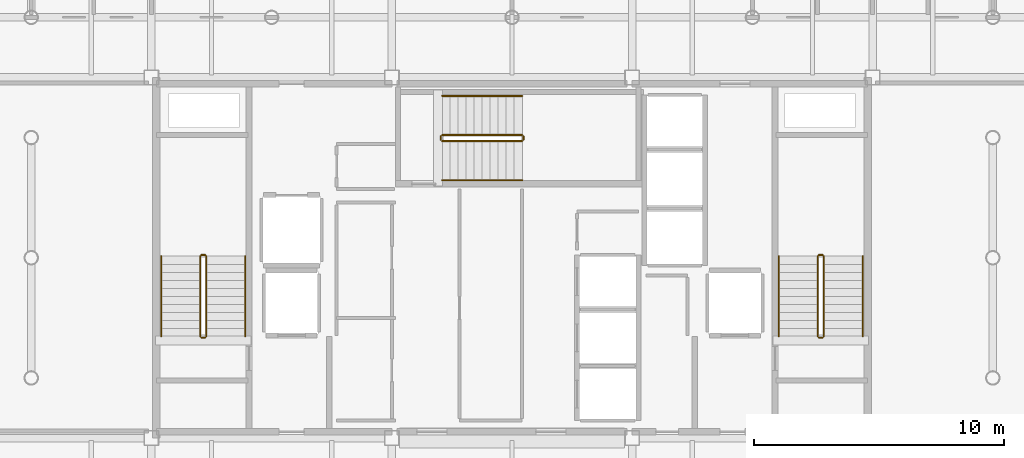
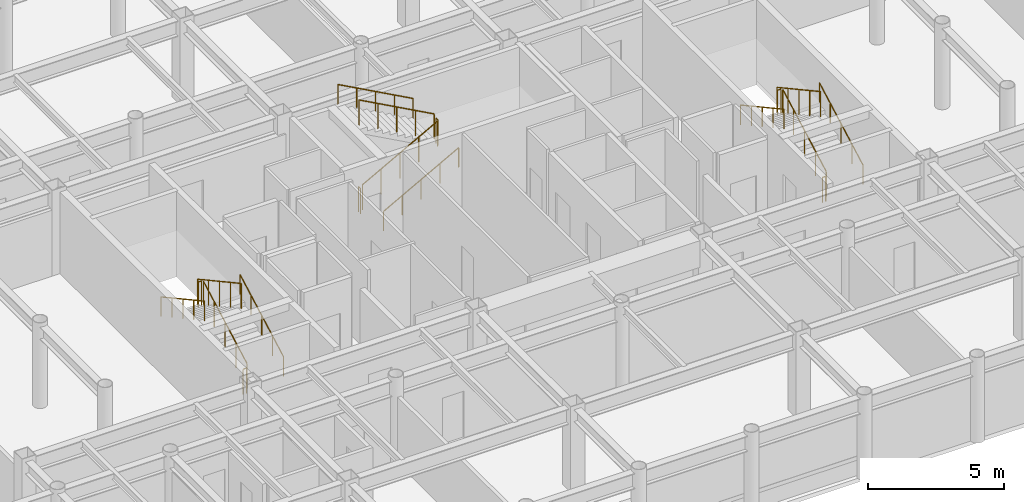
# One storey, part 22 of 22: 18 railings.
"""IFC4 building model written with IfcOpenShell, lengths in metres."""

from ifc_helpers import new_model, si_unit, direction, frame, origin, origin_2d, place, context, subcontext, project, spatial, circle, extrude, material, layer, layer_set, type_object, element, save


model = new_model("IFC4")

# Units and contexts
model_context = context("Model", 3, precision=1e-05, world=origin(), true_north=direction((0.0, 1.0)))
body_context = subcontext(model_context, "Body", "Model", "MODEL_VIEW")
ifc_project = project(units=[si_unit("LENGTHUNIT", "METRE"), si_unit("AREAUNIT", "SQUARE_METRE"), si_unit("VOLUMEUNIT", "CUBIC_METRE"), si_unit("PLANEANGLEUNIT", "RADIAN"), si_unit("MASSUNIT", "GRAM", prefix="KILO")], contexts=[model_context])

# Site, building, storey
site_placement = place(None, origin())
site = spatial("IfcSite", under=ifc_project, at=site_placement, CompositionType="ELEMENT")
building_placement = place(site_placement, origin())
building = spatial("IfcBuilding", under=site, at=building_placement, Name="Kallvorn Hotel Tower", CompositionType="ELEMENT")
storey_placement = place(building_placement, frame((0.0, 0.0, 260.800048828125)))
storey = spatial("IfcBuildingStorey", under=building, at=storey_placement, Name="L65", CompositionType="ELEMENT", Elevation=260.800048828125)

# Railings
ifc_material_1 = material(Name="Brushed stainless-steel tubular railing", Category="steel")
ifc_layer_1 = layer(ifc_material_1, 0.050048828125)
ifc_layer_set_1 = layer_set([ifc_layer_1], Name="RL_STAIR_GUARD")
railing_type_1 = type_object("IfcRailingType", Name="RL_STAIR_GUARD", PredefinedType="GUARDRAIL", material=ifc_layer_set_1)
railing_1_placement = place(storey_placement, frame((-12.2099609375, -3.139892578125, 0.175048828125)))
element("IfcRailing", 1, at=railing_1_placement, inside=storey, type_object=railing_type_1, Name="L65 ST1 stair guard 1", PredefinedType="GUARDRAIL", context=body_context, shape_type="SweptSolid", body=[
    extrude(circle(Radius=0.02392578125, at=origin_2d()), frame((0.0, 0.0, 1.1259765625), z_axis=(0.0, 0.877368057402, 0.479817977833), x_axis=(-1.0, 0.0, 0.0)), (0.0, 0.0, 1.0), 3.647216796875),
    extrude(circle(Radius=0.02099609375, at=origin_2d()), origin(), (0.0, 0.0, 1.0), 1.101806640625),
    extrude(circle(Radius=0.02099609375, at=origin_2d()), frame((0.0, 0.800048828125, 0.4375)), (0.0, 0.0, 1.0), 1.101806640625),
    extrude(circle(Radius=0.02099609375, at=origin_2d()), frame((0.0, 1.60009765625, 0.875)), (0.0, 0.0, 1.0), 1.101806640625),
    extrude(circle(Radius=0.02099609375, at=origin_2d()), frame((0.0, 2.39990234375, 1.3125)), (0.0, 0.0, 1.0), 1.101806640625),
    extrude(circle(Radius=0.02099609375, at=origin_2d()), frame((0.0, 3.199951171875, 1.75)), (0.0, 0.0, 1.0), 1.101806640625),
])
railing_2_placement = place(storey_placement, frame((-12.260009765625, 0.110107421875, 1.925048828125)))
element("IfcRailing", 2, at=railing_2_placement, inside=storey, type_object=railing_type_1, Name="L65 ST1 stair guard 2", PredefinedType="GUARDRAIL", context=body_context, shape_type="SweptSolid", body=[
    extrude(circle(Radius=0.02392578125, at=origin_2d()), frame((0.0, 0.0, 1.1259765625), z_axis=(-1.0, 0.0, 0.0), x_axis=(0.0, -1.0, 0.0)), (0.0, 0.0, 1.0), 0.139892578125),
    extrude(circle(Radius=0.02099609375, at=origin_2d()), origin(), (0.0, 0.0, 1.0), 1.101806640625),
    extrude(circle(Radius=0.02099609375, at=origin_2d()), frame((-0.139892578125, 0.0, 0.0)), (0.0, 0.0, 1.0), 1.101806640625),
])
railing_3_placement = place(storey_placement, frame((-12.449951171875, 0.06005859375, 2.099853515625)))
element("IfcRailing", 3, at=railing_3_placement, inside=storey, type_object=railing_type_1, Name="L65 ST1 stair guard 3", PredefinedType="GUARDRAIL", context=body_context, shape_type="SweptSolid", body=[
    extrude(circle(Radius=0.02392578125, at=origin_2d()), frame((0.0, 0.0, 1.1259765625), z_axis=(0.0, -0.877368057402, 0.479817977833), x_axis=(1.0, 0.0, 0.0)), (0.0, 0.0, 1.0), 3.647216796875),
    extrude(circle(Radius=0.02099609375, at=origin_2d()), origin(), (0.0, 0.0, 1.0), 1.101806640625),
    extrude(circle(Radius=0.02099609375, at=origin_2d()), frame((0.0, -0.800048828125, 0.4375)), (0.0, 0.0, 1.0), 1.101806640625),
    extrude(circle(Radius=0.02099609375, at=origin_2d()), frame((0.0, -1.60009765625, 0.875)), (0.0, 0.0, 1.0), 1.101806640625),
    extrude(circle(Radius=0.02099609375, at=origin_2d()), frame((0.0, -2.39990234375, 1.3125)), (0.0, 0.0, 1.0), 1.101806640625),
    extrude(circle(Radius=0.02099609375, at=origin_2d()), frame((0.0, -3.199951171875, 1.75)), (0.0, 0.0, 1.0), 1.101806640625),
])
railing_4_placement = place(storey_placement, frame((-12.260009765625, -3.18994140625, 0.0)))
element("IfcRailing", 4, at=railing_4_placement, inside=storey, type_object=railing_type_1, Name="L65 ST1 stair guard 4", PredefinedType="GUARDRAIL", context=body_context, shape_type="SweptSolid", body=[
    extrude(circle(Radius=0.02392578125, at=origin_2d()), frame((0.0, 0.0, 1.1259765625), z_axis=(-1.0, 0.0, 0.0), x_axis=(0.0, -1.0, 0.0)), (0.0, 0.0, 1.0), 0.139892578125),
    extrude(circle(Radius=0.02099609375, at=origin_2d()), origin(), (0.0, 0.0, 1.0), 1.101806640625),
    extrude(circle(Radius=0.02099609375, at=origin_2d()), frame((-0.139892578125, 0.0, 0.0)), (0.0, 0.0, 1.0), 1.101806640625),
])
railing_5_placement = place(storey_placement, frame((12.449951171875, -3.139892578125, 0.175048828125)))
element("IfcRailing", 5, at=railing_5_placement, inside=storey, type_object=railing_type_1, Name="L65 ST2 stair guard 1", PredefinedType="GUARDRAIL", context=body_context, shape_type="SweptSolid", body=[
    extrude(circle(Radius=0.02392578125, at=origin_2d()), frame((0.0, 0.0, 1.1259765625), z_axis=(0.0, 0.877368057402, 0.479817977833), x_axis=(-1.0, 0.0, 0.0)), (0.0, 0.0, 1.0), 3.647216796875),
    extrude(circle(Radius=0.02099609375, at=origin_2d()), origin(), (0.0, 0.0, 1.0), 1.101806640625),
    extrude(circle(Radius=0.02099609375, at=origin_2d()), frame((0.0, 0.800048828125, 0.4375)), (0.0, 0.0, 1.0), 1.101806640625),
    extrude(circle(Radius=0.02099609375, at=origin_2d()), frame((0.0, 1.60009765625, 0.875)), (0.0, 0.0, 1.0), 1.101806640625),
    extrude(circle(Radius=0.02099609375, at=origin_2d()), frame((0.0, 2.39990234375, 1.3125)), (0.0, 0.0, 1.0), 1.101806640625),
    extrude(circle(Radius=0.02099609375, at=origin_2d()), frame((0.0, 3.199951171875, 1.75)), (0.0, 0.0, 1.0), 1.101806640625),
])
railing_6_placement = place(storey_placement, frame((12.39990234375, 0.110107421875, 1.925048828125)))
element("IfcRailing", 6, at=railing_6_placement, inside=storey, type_object=railing_type_1, Name="L65 ST2 stair guard 2", PredefinedType="GUARDRAIL", context=body_context, shape_type="SweptSolid", body=[
    extrude(circle(Radius=0.02392578125, at=origin_2d()), frame((0.0, 0.0, 1.1259765625), z_axis=(-1.0, 0.0, 0.0), x_axis=(0.0, -1.0, 0.0)), (0.0, 0.0, 1.0), 0.139892578125),
    extrude(circle(Radius=0.02099609375, at=origin_2d()), origin(), (0.0, 0.0, 1.0), 1.101806640625),
    extrude(circle(Radius=0.02099609375, at=origin_2d()), frame((-0.139892578125, 0.0, 0.0)), (0.0, 0.0, 1.0), 1.101806640625),
])
railing_7_placement = place(storey_placement, frame((12.2099609375, 0.06005859375, 2.099853515625)))
element("IfcRailing", 7, at=railing_7_placement, inside=storey, type_object=railing_type_1, Name="L65 ST2 stair guard 3", PredefinedType="GUARDRAIL", context=body_context, shape_type="SweptSolid", body=[
    extrude(circle(Radius=0.02392578125, at=origin_2d()), frame((0.0, 0.0, 1.1259765625), z_axis=(0.0, -0.877368057402, 0.479817977833), x_axis=(1.0, 0.0, 0.0)), (0.0, 0.0, 1.0), 3.647216796875),
    extrude(circle(Radius=0.02099609375, at=origin_2d()), origin(), (0.0, 0.0, 1.0), 1.101806640625),
    extrude(circle(Radius=0.02099609375, at=origin_2d()), frame((0.0, -0.800048828125, 0.4375)), (0.0, 0.0, 1.0), 1.101806640625),
    extrude(circle(Radius=0.02099609375, at=origin_2d()), frame((0.0, -1.60009765625, 0.875)), (0.0, 0.0, 1.0), 1.101806640625),
    extrude(circle(Radius=0.02099609375, at=origin_2d()), frame((0.0, -2.39990234375, 1.3125)), (0.0, 0.0, 1.0), 1.101806640625),
    extrude(circle(Radius=0.02099609375, at=origin_2d()), frame((0.0, -3.199951171875, 1.75)), (0.0, 0.0, 1.0), 1.101806640625),
])
railing_8_placement = place(storey_placement, frame((12.39990234375, -3.18994140625, 0.0)))
element("IfcRailing", 8, at=railing_8_placement, inside=storey, type_object=railing_type_1, Name="L65 ST2 stair guard 4", PredefinedType="GUARDRAIL", context=body_context, shape_type="SweptSolid", body=[
    extrude(circle(Radius=0.02392578125, at=origin_2d()), frame((0.0, 0.0, 1.1259765625), z_axis=(-1.0, 0.0, 0.0), x_axis=(0.0, -1.0, 0.0)), (0.0, 0.0, 1.0), 0.139892578125),
    extrude(circle(Radius=0.02099609375, at=origin_2d()), origin(), (0.0, 0.0, 1.0), 1.101806640625),
    extrude(circle(Radius=0.02099609375, at=origin_2d()), frame((-0.139892578125, 0.0, 0.0)), (0.0, 0.0, 1.0), 1.101806640625),
])
railing_9_placement = place(storey_placement, frame((-2.7900390625, 4.659912109375, 0.175048828125)))
element("IfcRailing", 9, at=railing_9_placement, inside=storey, type_object=railing_type_1, Name="L65 ST3 stair guard 1", PredefinedType="GUARDRAIL", context=body_context, shape_type="SweptSolid", body=[
    extrude(circle(Radius=0.02392578125, at=origin_2d()), frame((0.0, 0.0, 1.1259765625), z_axis=(0.877368057402, 0.0, 0.479817977833), x_axis=(0.0, 1.0, 0.0)), (0.0, 0.0, 1.0), 3.647216796875),
    extrude(circle(Radius=0.02099609375, at=origin_2d()), origin(), (0.0, 0.0, 1.0), 1.101806640625),
    extrude(circle(Radius=0.02099609375, at=origin_2d()), frame((0.800048828125, 0.0, 0.4375)), (0.0, 0.0, 1.0), 1.101806640625),
    extrude(circle(Radius=0.02099609375, at=origin_2d()), frame((1.60009765625, 0.0, 0.875)), (0.0, 0.0, 1.0), 1.101806640625),
    extrude(circle(Radius=0.02099609375, at=origin_2d()), frame((2.39990234375, 0.0, 1.3125)), (0.0, 0.0, 1.0), 1.101806640625),
    extrude(circle(Radius=0.02099609375, at=origin_2d()), frame((3.199951171875, 0.0, 1.75)), (0.0, 0.0, 1.0), 1.101806640625),
])
railing_10_placement = place(storey_placement, frame((0.4599609375, 4.7099609375, 1.925048828125)))
element("IfcRailing", 10, at=railing_10_placement, inside=storey, type_object=railing_type_1, Name="L65 ST3 stair guard 2", PredefinedType="GUARDRAIL", context=body_context, shape_type="SweptSolid", body=[
    extrude(circle(Radius=0.02392578125, at=origin_2d()), frame((0.0, 0.0, 1.1259765625), z_axis=(0.0, 1.0, 0.0), x_axis=(-1.0, 0.0, 0.0)), (0.0, 0.0, 1.0), 0.14013671875),
    extrude(circle(Radius=0.02099609375, at=origin_2d()), origin(), (0.0, 0.0, 1.0), 1.101806640625),
    extrude(circle(Radius=0.02099609375, at=origin_2d()), frame((0.0, 0.14013671875, 0.0)), (0.0, 0.0, 1.0), 1.101806640625),
])
railing_11_placement = place(storey_placement, frame((0.409912109375, 4.89990234375, 2.099853515625)))
element("IfcRailing", 11, at=railing_11_placement, inside=storey, type_object=railing_type_1, Name="L65 ST3 stair guard 3", PredefinedType="GUARDRAIL", context=body_context, shape_type="SweptSolid", body=[
    extrude(circle(Radius=0.02392578125, at=origin_2d()), frame((0.0, 0.0, 1.1259765625), z_axis=(-0.877368057402, 0.0, 0.479817977833), x_axis=(0.0, -1.0, 0.0)), (0.0, 0.0, 1.0), 3.647216796875),
    extrude(circle(Radius=0.02099609375, at=origin_2d()), origin(), (0.0, 0.0, 1.0), 1.101806640625),
    extrude(circle(Radius=0.02099609375, at=origin_2d()), frame((-0.800048828125, 0.0, 0.4375)), (0.0, 0.0, 1.0), 1.101806640625),
    extrude(circle(Radius=0.02099609375, at=origin_2d()), frame((-1.60009765625, 0.0, 0.875)), (0.0, 0.0, 1.0), 1.101806640625),
    extrude(circle(Radius=0.02099609375, at=origin_2d()), frame((-2.39990234375, 0.0, 1.3125)), (0.0, 0.0, 1.0), 1.101806640625),
    extrude(circle(Radius=0.02099609375, at=origin_2d()), frame((-3.199951171875, 0.0, 1.75)), (0.0, 0.0, 1.0), 1.101806640625),
])
railing_12_placement = place(storey_placement, frame((-2.840087890625, 4.7099609375, 0.0)))
element("IfcRailing", 12, at=railing_12_placement, inside=storey, type_object=railing_type_1, Name="L65 ST3 stair guard 4", PredefinedType="GUARDRAIL", context=body_context, shape_type="SweptSolid", body=[
    extrude(circle(Radius=0.02392578125, at=origin_2d()), frame((0.0, 0.0, 1.1259765625), z_axis=(0.0, 1.0, 0.0), x_axis=(-1.0, 0.0, 0.0)), (0.0, 0.0, 1.0), 0.14013671875),
    extrude(circle(Radius=0.02099609375, at=origin_2d()), origin(), (0.0, 0.0, 1.0), 1.101806640625),
    extrude(circle(Radius=0.02099609375, at=origin_2d()), frame((0.0, 0.14013671875, 0.0)), (0.0, 0.0, 1.0), 1.101806640625),
])
ifc_material_2 = material(Name="Brushed stainless-steel tubular railing", Category="steel")
ifc_layer_2 = layer(ifc_material_2, 0.050048828125)
ifc_layer_set_2 = layer_set([ifc_layer_2], Name="RL_STAIR_HAND")
railing_type_2 = type_object("IfcRailingType", Name="RL_STAIR_HAND", PredefinedType="HANDRAIL", material=ifc_layer_set_2)
railing_13_placement = place(storey_placement, frame((-10.64990234375, -3.139892578125, 0.175048828125)))
element("IfcRailing", 13, at=railing_13_placement, inside=storey, type_object=railing_type_2, Name="L65 ST1 stair handrail 1", PredefinedType="HANDRAIL", context=body_context, shape_type="SweptSolid", body=[
    extrude(circle(Radius=0.02392578125, at=origin_2d()), frame((0.0, 0.0, 0.8759765625), z_axis=(0.0, 0.877368057402, 0.479817977833), x_axis=(-1.0, 0.0, 0.0)), (0.0, 0.0, 1.0), 3.647216796875),
    extrude(circle(Radius=0.02099609375, at=origin_2d()), origin(), (0.0, 0.0, 1.0), 0.851806640625),
    extrude(circle(Radius=0.02099609375, at=origin_2d()), frame((0.0, 0.800048828125, 0.4375)), (0.0, 0.0, 1.0), 0.851806640625),
    extrude(circle(Radius=0.02099609375, at=origin_2d()), frame((0.0, 1.60009765625, 0.875)), (0.0, 0.0, 1.0), 0.851806640625),
    extrude(circle(Radius=0.02099609375, at=origin_2d()), frame((0.0, 2.39990234375, 1.3125)), (0.0, 0.0, 1.0), 0.851806640625),
    extrude(circle(Radius=0.02099609375, at=origin_2d()), frame((0.0, 3.199951171875, 1.75)), (0.0, 0.0, 1.0), 0.851806640625),
])
railing_14_placement = place(storey_placement, frame((-14.010009765625, 0.06005859375, 2.099853515625)))
element("IfcRailing", 14, at=railing_14_placement, inside=storey, type_object=railing_type_2, Name="L65 ST1 stair handrail 2", PredefinedType="HANDRAIL", context=body_context, shape_type="SweptSolid", body=[
    extrude(circle(Radius=0.02392578125, at=origin_2d()), frame((0.0, 0.0, 0.8759765625), z_axis=(0.0, -0.877368057402, 0.479817977833), x_axis=(1.0, 0.0, 0.0)), (0.0, 0.0, 1.0), 3.647216796875),
    extrude(circle(Radius=0.02099609375, at=origin_2d()), origin(), (0.0, 0.0, 1.0), 0.851806640625),
    extrude(circle(Radius=0.02099609375, at=origin_2d()), frame((0.0, -0.800048828125, 0.4375)), (0.0, 0.0, 1.0), 0.851806640625),
    extrude(circle(Radius=0.02099609375, at=origin_2d()), frame((0.0, -1.60009765625, 0.875)), (0.0, 0.0, 1.0), 0.851806640625),
    extrude(circle(Radius=0.02099609375, at=origin_2d()), frame((0.0, -2.39990234375, 1.3125)), (0.0, 0.0, 1.0), 0.851806640625),
    extrude(circle(Radius=0.02099609375, at=origin_2d()), frame((0.0, -3.199951171875, 1.75)), (0.0, 0.0, 1.0), 0.851806640625),
])
railing_15_placement = place(storey_placement, frame((14.010009765625, -3.139892578125, 0.175048828125)))
element("IfcRailing", 15, at=railing_15_placement, inside=storey, type_object=railing_type_2, Name="L65 ST2 stair handrail 1", PredefinedType="HANDRAIL", context=body_context, shape_type="SweptSolid", body=[
    extrude(circle(Radius=0.02392578125, at=origin_2d()), frame((0.0, 0.0, 0.8759765625), z_axis=(0.0, 0.877368057402, 0.479817977833), x_axis=(-1.0, 0.0, 0.0)), (0.0, 0.0, 1.0), 3.647216796875),
    extrude(circle(Radius=0.02099609375, at=origin_2d()), origin(), (0.0, 0.0, 1.0), 0.851806640625),
    extrude(circle(Radius=0.02099609375, at=origin_2d()), frame((0.0, 0.800048828125, 0.4375)), (0.0, 0.0, 1.0), 0.851806640625),
    extrude(circle(Radius=0.02099609375, at=origin_2d()), frame((0.0, 1.60009765625, 0.875)), (0.0, 0.0, 1.0), 0.851806640625),
    extrude(circle(Radius=0.02099609375, at=origin_2d()), frame((0.0, 2.39990234375, 1.3125)), (0.0, 0.0, 1.0), 0.851806640625),
    extrude(circle(Radius=0.02099609375, at=origin_2d()), frame((0.0, 3.199951171875, 1.75)), (0.0, 0.0, 1.0), 0.851806640625),
])
railing_16_placement = place(storey_placement, frame((10.64990234375, 0.06005859375, 2.099853515625)))
element("IfcRailing", 16, at=railing_16_placement, inside=storey, type_object=railing_type_2, Name="L65 ST2 stair handrail 2", PredefinedType="HANDRAIL", context=body_context, shape_type="SweptSolid", body=[
    extrude(circle(Radius=0.02392578125, at=origin_2d()), frame((0.0, 0.0, 0.8759765625), z_axis=(0.0, -0.877368057402, 0.479817977833), x_axis=(1.0, 0.0, 0.0)), (0.0, 0.0, 1.0), 3.647216796875),
    extrude(circle(Radius=0.02099609375, at=origin_2d()), origin(), (0.0, 0.0, 1.0), 0.851806640625),
    extrude(circle(Radius=0.02099609375, at=origin_2d()), frame((0.0, -0.800048828125, 0.4375)), (0.0, 0.0, 1.0), 0.851806640625),
    extrude(circle(Radius=0.02099609375, at=origin_2d()), frame((0.0, -1.60009765625, 0.875)), (0.0, 0.0, 1.0), 0.851806640625),
    extrude(circle(Radius=0.02099609375, at=origin_2d()), frame((0.0, -2.39990234375, 1.3125)), (0.0, 0.0, 1.0), 0.851806640625),
    extrude(circle(Radius=0.02099609375, at=origin_2d()), frame((0.0, -3.199951171875, 1.75)), (0.0, 0.0, 1.0), 0.851806640625),
])
railing_17_placement = place(storey_placement, frame((-2.7900390625, 3.10009765625, 0.175048828125)))
element("IfcRailing", 17, at=railing_17_placement, inside=storey, type_object=railing_type_2, Name="L65 ST3 stair handrail 1", PredefinedType="HANDRAIL", context=body_context, shape_type="SweptSolid", body=[
    extrude(circle(Radius=0.02392578125, at=origin_2d()), frame((0.0, 0.0, 0.8759765625), z_axis=(0.877368057402, 0.0, 0.479817977833), x_axis=(0.0, 1.0, 0.0)), (0.0, 0.0, 1.0), 3.647216796875),
    extrude(circle(Radius=0.02099609375, at=origin_2d()), origin(), (0.0, 0.0, 1.0), 0.851806640625),
    extrude(circle(Radius=0.02099609375, at=origin_2d()), frame((0.800048828125, 0.0, 0.4375)), (0.0, 0.0, 1.0), 0.851806640625),
    extrude(circle(Radius=0.02099609375, at=origin_2d()), frame((1.60009765625, 0.0, 0.875)), (0.0, 0.0, 1.0), 0.851806640625),
    extrude(circle(Radius=0.02099609375, at=origin_2d()), frame((2.39990234375, 0.0, 1.3125)), (0.0, 0.0, 1.0), 0.851806640625),
    extrude(circle(Radius=0.02099609375, at=origin_2d()), frame((3.199951171875, 0.0, 1.75)), (0.0, 0.0, 1.0), 0.851806640625),
])
railing_18_placement = place(storey_placement, frame((0.409912109375, 6.4599609375, 2.099853515625)))
element("IfcRailing", 18, at=railing_18_placement, inside=storey, type_object=railing_type_2, Name="L65 ST3 stair handrail 2", PredefinedType="HANDRAIL", context=body_context, shape_type="SweptSolid", body=[
    extrude(circle(Radius=0.02392578125, at=origin_2d()), frame((0.0, 0.0, 0.8759765625), z_axis=(-0.877368057402, 0.0, 0.479817977833), x_axis=(0.0, -1.0, 0.0)), (0.0, 0.0, 1.0), 3.647216796875),
    extrude(circle(Radius=0.02099609375, at=origin_2d()), origin(), (0.0, 0.0, 1.0), 0.851806640625),
    extrude(circle(Radius=0.02099609375, at=origin_2d()), frame((-0.800048828125, 0.0, 0.4375)), (0.0, 0.0, 1.0), 0.851806640625),
    extrude(circle(Radius=0.02099609375, at=origin_2d()), frame((-1.60009765625, 0.0, 0.875)), (0.0, 0.0, 1.0), 0.851806640625),
    extrude(circle(Radius=0.02099609375, at=origin_2d()), frame((-2.39990234375, 0.0, 1.3125)), (0.0, 0.0, 1.0), 0.851806640625),
    extrude(circle(Radius=0.02099609375, at=origin_2d()), frame((-3.199951171875, 0.0, 1.75)), (0.0, 0.0, 1.0), 0.851806640625),
])

save(model, "model.ifc")
